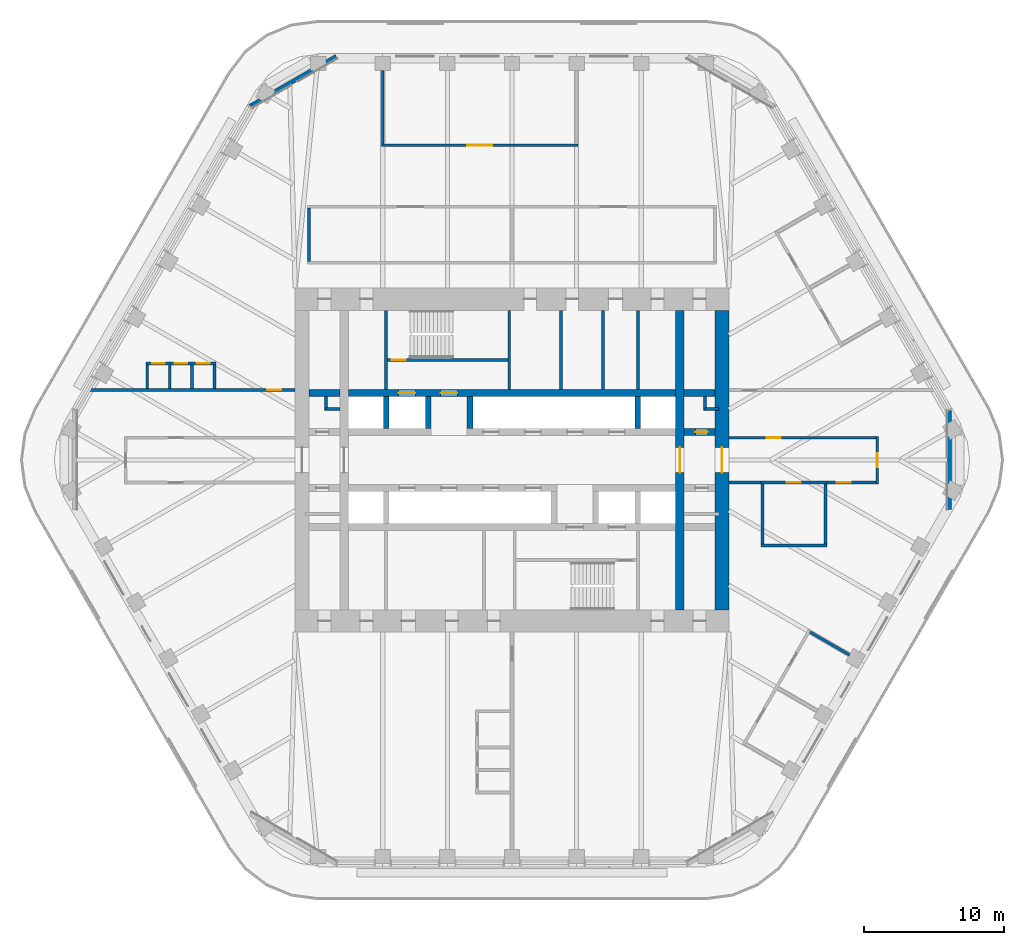
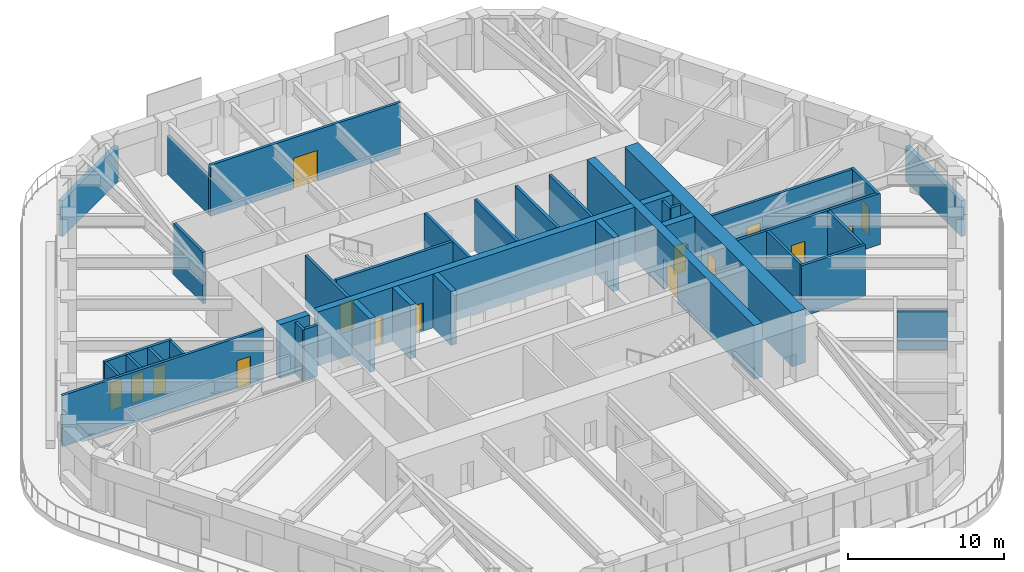
# One storey, part 16 of 20: 40 walls, 15 doors, 15 openings.
"""IFC4 building model written with IfcOpenShell, lengths in metres."""

from ifc_helpers import new_model, si_unit, direction, frame, frame_2d, origin, place, context, subcontext, project, spatial, rectangle, extrude, material, layer, layer_set, type_object, element, fill, save


model = new_model("IFC4")

# Units and contexts
model_context = context("Model", 3, precision=1e-05, world=origin(), true_north=direction((0.0, 1.0)))
body_context = subcontext(model_context, "Body", "Model", "MODEL_VIEW")
ifc_project = project(units=[si_unit("LENGTHUNIT", "METRE"), si_unit("AREAUNIT", "SQUARE_METRE"), si_unit("VOLUMEUNIT", "CUBIC_METRE"), si_unit("PLANEANGLEUNIT", "RADIAN"), si_unit("MASSUNIT", "GRAM", prefix="KILO")], contexts=[model_context])

# Site, building, storey
site_placement = place(None, origin())
site = spatial("IfcSite", under=ifc_project, at=site_placement, CompositionType="ELEMENT")
building_placement = place(site_placement, origin())
building = spatial("IfcBuilding", under=site, at=building_placement, Name="Tarfa Lantern Tower", CompositionType="ELEMENT")
storey_placement = place(building_placement, frame((0.0, 0.0, 278.5)))
storey = spatial("IfcBuildingStorey", under=building, at=storey_placement, Name="L63", CompositionType="ELEMENT", Elevation=278.5)

# Walls
ifc_material_1 = material(Name="Limestone cladding on blockwork", Category="masonry")
ifc_layer_1 = layer(ifc_material_1, 0.300048828125)
ifc_layer_set_1 = layer_set([ifc_layer_1], Name="EW1 STONE-CLAD WALL 300")
wall_type_1 = type_object("IfcWallType", Name="EW1 STONE-CLAD WALL 300", PredefinedType="SOLIDWALL", material=ifc_layer_set_1)
wall_1_placement = place(storey_placement, frame((-12.556396484375, 28.85009765625, 0.0), z_axis=(0.0, 0.0, 1.0), x_axis=(-0.866010973379, -0.500024993363, 0.0)))
element("IfcWall", 1, at=wall_1_placement, inside=storey, type_object=wall_type_1, Name="Garden wall N-NW", PredefinedType="SOLIDWALL", context=body_context, shape_type="SweptSolid", body=[
    extrude(rectangle(XDim=7.101806640625, YDim=0.300048828125, at=frame_2d((3.55078125, 0.0))), origin(), (0.0, 0.0, 1.0), 2.800048828125),
])
wall_2_placement = place(storey_placement, frame((31.262939453125, -3.55078125, 0.0), z_axis=(0.0, 0.0, 1.0), x_axis=(0.0, 1.0, 0.0)))
element("IfcWall", 2, at=wall_2_placement, inside=storey, type_object=wall_type_1, Name="Garden wall SE-NE", PredefinedType="SOLIDWALL", context=body_context, shape_type="SweptSolid", body=[
    extrude(rectangle(XDim=7.1015625, YDim=0.300048828125, at=frame_2d((3.55078125, 0.0))), origin(), (0.0, 0.0, 1.0), 2.800048828125),
])
ifc_material_2 = material(Name="Concrete blockwork", Category="masonry")
ifc_layer_2 = layer(ifc_material_2, 0.199951171875)
ifc_layer_set_2 = layer_set([ifc_layer_2], Name="IW1 BLOCKWORK PARTITION 200 EI 120")
wall_type_2 = type_object("IfcWallType", Name="IW1 BLOCKWORK PARTITION 200 EI 120", PredefinedType="PARTITIONING", material=ifc_layer_set_2)
for number, where, z_axis, x_axis, name in (
    (3, (-9.0, 5.050048828125, 0.0), (0.0, 0.0, 1.0), (0.0, 1.0, 0.0), "Core partition"),
    (4, (9.0, 5.050048828125, 0.0), (0.0, 0.0, 1.0), (0.0, 1.0, 0.0), "Core partition"),
    (5, (3.5, 5.050048828125, 0.0), (0.0, 0.0, 1.0), (0.0, 1.0, 0.0), "Core partition"),
    (6, (6.5, 5.050048828125, 0.0), (0.0, 0.0, 1.0), (0.0, 1.0, 0.0), "Core partition"),
):
    element("IfcWall", number, at=place(storey_placement, frame(where, z_axis=z_axis, x_axis=x_axis)), inside=storey, type_object=wall_type_2, Name=name, PredefinedType="PARTITIONING", context=body_context, shape_type="SweptSolid", body=[
        extrude(rectangle(XDim=5.64990234375, YDim=0.199951171875, at=frame_2d((2.824951171875, 0.0))), origin(), (0.0, 0.0, 1.0), 4.0),
    ])
for number, where, z_axis, x_axis, name in (
    (7, (-13.300048828125, 3.64990234375, 0.0), (0.0, 0.0, 1.0), (1.0, 0.0, 0.0), "Core partition"),
    (8, (-13.300048828125, 3.550048828125, 0.0), (0.0, 0.0, 1.0), (0.0, 1.0, 0.0), "Core partition"),
    (9, (13.800048828125, 3.64990234375, 0.0), (0.0, 0.0, 1.0), (1.0, 0.0, 0.0), "Core partition"),
    (10, (13.800048828125, 3.550048828125, 0.0), (0.0, 0.0, 1.0), (0.0, 1.0, 0.0), "Core partition"),
):
    element("IfcWall", number, at=place(storey_placement, frame(where, z_axis=z_axis, x_axis=x_axis)), inside=storey, type_object=wall_type_2, Name=name, PredefinedType="PARTITIONING", context=body_context, shape_type="SweptSolid", body=[
        extrude(rectangle(XDim=1.0, YDim=0.199951171875, at=frame_2d((0.5, 0.0))), origin(), (0.0, 0.0, 1.0), 4.0),
    ])
ifc_material_3 = material(Name="Gypsum board on steel studs", Category="steel")
ifc_layer_3 = layer(ifc_material_3, 0.2099609375)
ifc_layer_set_3 = layer_set([ifc_layer_3], Name="IW2 ACOUSTIC PARTITION 200")
wall_type_3 = type_object("IfcWallType", Name="IW2 ACOUSTIC PARTITION 200", PredefinedType="PARTITIONING", material=ifc_layer_set_3)
wall_3_placement = place(storey_placement, frame((-14.5, 14.199951171875, 0.0), z_axis=(0.0, 0.0, 1.0), x_axis=(0.0, 1.0, 0.0)))
element("IfcWall", 11, at=wall_3_placement, inside=storey, type_object=wall_type_3, Name="Partition", PredefinedType="PARTITIONING", context=body_context, shape_type="SweptSolid", body=[
    extrude(rectangle(XDim=3.800048828125, YDim=0.199951171875, at=frame_2d((1.89990234375, 0.0))), origin(), (0.0, 0.0, 1.0), 4.0),
])

# Wall, opening, door
wall_4_placement = place(storey_placement, frame((4.71875, 22.5, 0.0), z_axis=(0.0, 0.0, 1.0), x_axis=(-1.0, 0.0, 0.0)))
wall_4 = element("IfcWall", 12, at=wall_4_placement, inside=storey, type_object=wall_type_3, Name="Partition", PredefinedType="PARTITIONING", context=body_context, shape_type="SweptSolid", body=[
    extrude(rectangle(XDim=14.056396484375, YDim=0.199951171875, at=frame_2d((7.0283203125, 0.0))), origin(), (0.0, 0.0, 1.0), 4.0),
])
opening_1_placement = place(wall_4_placement, frame((6.128173828125, 0.0, 0.0)))
opening_1 = element("IfcOpeningElement", 13, at=opening_1_placement, cuts=wall_4, Name="Opening D28", PredefinedType="OPENING", context=body_context, shape_type="SweptSolid", body=[
    extrude(rectangle(XDim=1.800048828125, YDim=2.39990234375, at=frame_2d((0.89990234375, 1.199951171875))), frame((0.0, 0.10986328125, 0.0), z_axis=(0.0, -1.0, 0.0), x_axis=(1.0, 0.0, 0.0)), (0.0, 0.0, 1.0), 0.219970703125),
])
ifc_material_4 = material(Name="Timber door", Category="wood")
door_type_1 = type_object("IfcDoorType", Name="DR2 ROOM DOOR 1800x2400", OperationType="DOUBLE_DOOR_SINGLE_SWING", PredefinedType="DOOR", material=ifc_material_4)
door_1_placement = place(opening_1_placement, frame((1.800048828125, 0.0, 0.0), z_axis=(0.0, 0.0, 1.0), x_axis=(-1.0, 0.0, 0.0)))
door_1 = element("IfcDoor", 14, at=door_1_placement, inside=storey, type_object=door_type_1, Name="Presentation room door", OperationType="DOUBLE_DOOR_SINGLE_SWING", OverallHeight=2.39990234375, OverallWidth=1.800048828125, PredefinedType="DOOR", context=body_context, shape_type="SweptSolid", body=[
    extrude(rectangle(XDim=1.800048828125, YDim=2.39990234375, at=frame_2d((0.89990234375, 1.199951171875))), frame((0.0, 0.02490234375, 0.0), z_axis=(0.0, -1.0, 0.0), x_axis=(1.0, 0.0, 0.0)), (0.0, 0.0, 1.0), 0.050048828125),
])
fill(opening_1, door_1)

# Walls
wall_5_placement = place(storey_placement, frame((-9.237548828125, 22.60009765625, 0.0), z_axis=(0.0, 0.0, 1.0), x_axis=(0.0, 1.0, 0.0)))
element("IfcWall", 15, at=wall_5_placement, inside=storey, type_object=wall_type_3, Name="Partition", PredefinedType="PARTITIONING", context=body_context, shape_type="SweptSolid", body=[
    extrude(rectangle(XDim=5.25, YDim=0.199951171875, at=frame_2d((2.625, 0.0))), origin(), (0.0, 0.0, 1.0), 2.991943359375),
])
wall_6_placement = place(storey_placement, frame((21.30419921875, -12.300048828125, 0.0), z_axis=(0.0, 0.0, 1.0), x_axis=(0.866034226713, -0.499984717929, 0.0)))
element("IfcWall", 16, at=wall_6_placement, inside=storey, type_object=wall_type_3, Name="Partition", PredefinedType="PARTITIONING", context=body_context, shape_type="SweptSolid", body=[
    extrude(rectangle(XDim=3.25, YDim=0.199951171875, at=frame_2d((1.625, 0.0))), origin(), (0.0, 0.0, 1.0), 3.08154296875),
])

# Wall, opening, door
wall_7_placement = place(storey_placement, frame((17.800048828125, -1.60009765625, 0.0), z_axis=(0.0, 0.0, 1.0), x_axis=(1.0, 0.0, 0.0)))
wall_7 = element("IfcWall", 17, at=wall_7_placement, inside=storey, type_object=wall_type_3, Name="Partition", PredefinedType="PARTITIONING", context=body_context, shape_type="SweptSolid", body=[
    extrude(rectangle(XDim=4.699951171875, YDim=0.199951171875, at=frame_2d((2.35009765625, 0.0))), origin(), (0.0, 0.0, 1.0), 4.0),
])
opening_2_placement = place(wall_7_placement, frame((1.85009765625, 0.0, 0.0)))
opening_2 = element("IfcOpeningElement", 18, at=opening_2_placement, cuts=wall_7, Name="Opening D27", PredefinedType="OPENING", context=body_context, shape_type="SweptSolid", body=[
    extrude(rectangle(XDim=1.0, YDim=2.199951171875, at=frame_2d((0.5, 1.10009765625))), frame((0.0, 0.10986328125, 0.0), z_axis=(0.0, -1.0, 0.0), x_axis=(1.0, 0.0, 0.0)), (0.0, 0.0, 1.0), 0.219970703125),
])
door_type_2 = type_object("IfcDoorType", Name="DR1 ROOM DOOR 1000x2200", OperationType="SINGLE_SWING_LEFT", PredefinedType="DOOR", material=ifc_material_4)
door_2_placement = place(opening_2_placement, frame((1.0, 0.0, 0.0), z_axis=(0.0, 0.0, 1.0), x_axis=(-1.0, 0.0, 0.0)))
door_2 = element("IfcDoor", 19, at=door_2_placement, inside=storey, type_object=door_type_2, Name="Pantry door", OperationType="SINGLE_SWING_RIGHT", OverallHeight=2.199951171875, OverallWidth=1.0, PredefinedType="DOOR", context=body_context, shape_type="SweptSolid", body=[
    extrude(rectangle(XDim=1.0, YDim=2.199951171875, at=frame_2d((0.5, 1.10009765625))), frame((0.0, 0.02490234375, 0.0), z_axis=(0.0, -1.0, 0.0), x_axis=(1.0, 0.0, 0.0)), (0.0, 0.0, 1.0), 0.050048828125),
])
fill(opening_2, door_2)

# Walls
wall_8_placement = place(storey_placement, frame((17.800048828125, -6.10009765625, 0.0), z_axis=(0.0, 0.0, 1.0), x_axis=(1.0, 0.0, 0.0)))
element("IfcWall", 20, at=wall_8_placement, inside=storey, type_object=wall_type_3, Name="Partition", PredefinedType="PARTITIONING", context=body_context, shape_type="SweptSolid", body=[
    extrude(rectangle(XDim=4.699951171875, YDim=0.199951171875, at=frame_2d((2.35009765625, 0.0))), origin(), (0.0, 0.0, 1.0), 4.0),
])
for number, where, z_axis, x_axis, name in (
    (21, (17.89990234375, -1.699951171875, 0.0), (0.0, 0.0, 1.0), (0.0, -1.0, 0.0), "Partition"),
    (22, (22.39990234375, -1.699951171875, 0.0), (0.0, 0.0, 1.0), (0.0, -1.0, 0.0), "Partition"),
):
    element("IfcWall", number, at=place(storey_placement, frame(where, z_axis=z_axis, x_axis=x_axis)), inside=storey, type_object=wall_type_3, Name=name, PredefinedType="PARTITIONING", context=body_context, shape_type="SweptSolid", body=[
        extrude(rectangle(XDim=4.300048828125, YDim=0.199951171875, at=frame_2d((2.14990234375, 0.0))), origin(), (0.0, 0.0, 1.0), 4.0),
    ])

# Wall, opening, door
wall_9_placement = place(storey_placement, frame((15.5, 1.60009765625, 0.0), z_axis=(0.0, 0.0, 1.0), x_axis=(1.0, 0.0, 0.0)))
wall_9 = element("IfcWall", 23, at=wall_9_placement, inside=storey, type_object=wall_type_3, Name="Partition", PredefinedType="PARTITIONING", context=body_context, shape_type="SweptSolid", body=[
    extrude(rectangle(XDim=10.699951171875, YDim=0.199951171875, at=frame_2d((5.35009765625, 0.0))), origin(), (0.0, 0.0, 1.0), 4.0),
])
opening_3_placement = place(wall_9_placement, frame((2.7099609375, 0.0, 0.0)))
opening_3 = element("IfcOpeningElement", 24, at=opening_3_placement, cuts=wall_9, Name="Opening D42", PredefinedType="OPENING", context=body_context, shape_type="SweptSolid", body=[
    extrude(rectangle(XDim=1.0, YDim=2.199951171875, at=frame_2d((0.5, 1.10009765625))), frame((0.0, 0.10986328125, 0.0), z_axis=(0.0, -1.0, 0.0), x_axis=(1.0, 0.0, 0.0)), (0.0, 0.0, 1.0), 0.219970703125),
])
door_3_placement = place(opening_3_placement, origin())
door_3 = element("IfcDoor", 25, at=door_3_placement, inside=storey, type_object=door_type_2, Name="Corridor door", OperationType="SINGLE_SWING_RIGHT", OverallHeight=2.199951171875, OverallWidth=1.0, PredefinedType="DOOR", context=body_context, shape_type="SweptSolid", body=[
    extrude(rectangle(XDim=1.0, YDim=2.199951171875, at=frame_2d((0.5, 1.10009765625))), frame((0.0, 0.02490234375, 0.0), z_axis=(0.0, -1.0, 0.0), x_axis=(1.0, 0.0, 0.0)), (0.0, 0.0, 1.0), 0.050048828125),
])
fill(opening_3, door_3)

# Wall
wall_10_placement = place(storey_placement, frame((15.5, -1.60009765625, 0.0), z_axis=(0.0, 0.0, 1.0), x_axis=(1.0, 0.0, 0.0)))
element("IfcWall", 26, at=wall_10_placement, inside=storey, type_object=wall_type_3, Name="Partition", PredefinedType="PARTITIONING", context=body_context, shape_type="SweptSolid", body=[
    extrude(rectangle(XDim=2.300048828125, YDim=0.199951171875, at=frame_2d((1.14990234375, 0.0))), origin(), (0.0, 0.0, 1.0), 4.0),
])

# Wall, opening, door
wall_11_placement = place(storey_placement, frame((22.5, -1.60009765625, 0.0), z_axis=(0.0, 0.0, 1.0), x_axis=(1.0, 0.0, 0.0)))
wall_11 = element("IfcWall", 27, at=wall_11_placement, inside=storey, type_object=wall_type_3, Name="Partition", PredefinedType="PARTITIONING", context=body_context, shape_type="SweptSolid", body=[
    extrude(rectangle(XDim=3.699951171875, YDim=0.199951171875, at=frame_2d((1.85009765625, 0.0))), origin(), (0.0, 0.0, 1.0), 4.0),
])
opening_4_placement = place(wall_11_placement, frame((0.699951171875, 0.0, 0.0)))
opening_4 = element("IfcOpeningElement", 28, at=opening_4_placement, cuts=wall_11, Name="Opening D43", PredefinedType="OPENING", context=body_context, shape_type="SweptSolid", body=[
    extrude(rectangle(XDim=1.0, YDim=2.199951171875, at=frame_2d((0.5, 1.10009765625))), frame((0.0, 0.10986328125, 0.0), z_axis=(0.0, -1.0, 0.0), x_axis=(1.0, 0.0, 0.0)), (0.0, 0.0, 1.0), 0.219970703125),
])
door_4_placement = place(opening_4_placement, frame((1.0, 0.0, 0.0), z_axis=(0.0, 0.0, 1.0), x_axis=(-1.0, 0.0, 0.0)))
door_4 = element("IfcDoor", 29, at=door_4_placement, inside=storey, type_object=door_type_2, Name="Corridor door", OperationType="SINGLE_SWING_LEFT", OverallHeight=2.199951171875, OverallWidth=1.0, PredefinedType="DOOR", context=body_context, shape_type="SweptSolid", body=[
    extrude(rectangle(XDim=1.0, YDim=2.199951171875, at=frame_2d((0.5, 1.10009765625))), frame((0.0, 0.02490234375, 0.0), z_axis=(0.0, -1.0, 0.0), x_axis=(1.0, 0.0, 0.0)), (0.0, 0.0, 1.0), 0.050048828125),
])
fill(opening_4, door_4)

wall_12_placement = place(storey_placement, frame((26.10009765625, -1.699951171875, 0.0), z_axis=(0.0, 0.0, 1.0), x_axis=(0.0, 1.0, 0.0)))
wall_12 = element("IfcWall", 30, at=wall_12_placement, inside=storey, type_object=wall_type_3, Name="Partition", PredefinedType="PARTITIONING", context=body_context, shape_type="SweptSolid", body=[
    extrude(rectangle(XDim=3.39990234375, YDim=0.199951171875, at=frame_2d((1.699951171875, 0.0))), origin(), (0.0, 0.0, 1.0), 4.0),
])
opening_5_placement = place(wall_12_placement, frame((1.199951171875, 0.0, 0.0)))
opening_5 = element("IfcOpeningElement", 31, at=opening_5_placement, cuts=wall_12, Name="Opening D41", PredefinedType="OPENING", context=body_context, shape_type="SweptSolid", body=[
    extrude(rectangle(XDim=1.0, YDim=2.199951171875, at=frame_2d((0.5, 1.10009765625))), frame((0.0, 0.10986328125, 0.0), z_axis=(0.0, -1.0, 0.0), x_axis=(1.0, 0.0, 0.0)), (0.0, 0.0, 1.0), 0.219970703125),
])
door_5_placement = place(opening_5_placement, frame((1.0, 0.0, 0.0), z_axis=(0.0, 0.0, 1.0), x_axis=(-1.0, 0.0, 0.0)))
door_5 = element("IfcDoor", 32, at=door_5_placement, inside=storey, type_object=door_type_2, Name="Corridor door", OperationType="SINGLE_SWING_LEFT", OverallHeight=2.199951171875, OverallWidth=1.0, PredefinedType="DOOR", context=body_context, shape_type="SweptSolid", body=[
    extrude(rectangle(XDim=1.0, YDim=2.199951171875, at=frame_2d((0.5, 1.10009765625))), frame((0.0, 0.02490234375, 0.0), z_axis=(0.0, -1.0, 0.0), x_axis=(1.0, 0.0, 0.0)), (0.0, 0.0, 1.0), 0.050048828125),
])
fill(opening_5, door_5)

wall_13_placement = place(storey_placement, frame((-15.5, 5.0, 0.0), z_axis=(0.0, 0.0, 1.0), x_axis=(-1.0, 0.0, 0.0)))
wall_13 = element("IfcWall", 33, at=wall_13_placement, inside=storey, type_object=wall_type_3, Name="Partition", PredefinedType="PARTITIONING", context=body_context, shape_type="SweptSolid", body=[
    extrude(rectangle(XDim=14.845458984375, YDim=0.199951171875, at=frame_2d((7.4228515625, 0.0))), origin(), (0.0, 0.0, 1.0), 4.0),
])
opening_6_placement = place(wall_13_placement, frame((0.984619140625, 0.0, 0.0)))
opening_6 = element("IfcOpeningElement", 34, at=opening_6_placement, cuts=wall_13, Name="Opening D49", PredefinedType="OPENING", context=body_context, shape_type="SweptSolid", body=[
    extrude(rectangle(XDim=1.0, YDim=2.199951171875, at=frame_2d((0.5, 1.10009765625))), frame((0.0, 0.10986328125, 0.0), z_axis=(0.0, -1.0, 0.0), x_axis=(1.0, 0.0, 0.0)), (0.0, 0.0, 1.0), 0.219970703125),
])
door_6_placement = place(opening_6_placement, origin())
door_6 = element("IfcDoor", 35, at=door_6_placement, inside=storey, type_object=door_type_2, Name="Zone door", OperationType="SINGLE_SWING_RIGHT", OverallHeight=2.199951171875, OverallWidth=1.0, PredefinedType="DOOR", context=body_context, shape_type="SweptSolid", body=[
    extrude(rectangle(XDim=1.0, YDim=2.199951171875, at=frame_2d((0.5, 1.10009765625))), frame((0.0, 0.02490234375, 0.0), z_axis=(0.0, -1.0, 0.0), x_axis=(1.0, 0.0, 0.0)), (0.0, 0.0, 1.0), 0.050048828125),
])
fill(opening_6, door_6)

# Wall, openings, doors
wall_14_placement = place(storey_placement, frame((-21.1650390625, 6.89990234375, 0.0), z_axis=(0.0, 0.0, 1.0), x_axis=(-1.0, 0.0, 0.0)))
wall_14 = element("IfcWall", 36, at=wall_14_placement, inside=storey, type_object=wall_type_3, Name="Partition", PredefinedType="PARTITIONING", context=body_context, shape_type="SweptSolid", body=[
    extrude(rectangle(XDim=5.0, YDim=0.199951171875, at=frame_2d((2.5, 0.0))), origin(), (0.0, 0.0, 1.0), 4.0),
])
opening_7_placement = place(wall_14_placement, frame((0.449951171875, 0.0, 0.0)))
opening_7 = element("IfcOpeningElement", 37, at=opening_7_placement, cuts=wall_14, Name="Opening D38", PredefinedType="OPENING", context=body_context, shape_type="SweptSolid", body=[
    extrude(rectangle(XDim=0.89990234375, YDim=2.199951171875, at=frame_2d((0.449951171875, 1.10009765625))), frame((0.0, 0.10986328125, 0.0), z_axis=(0.0, -1.0, 0.0), x_axis=(1.0, 0.0, 0.0)), (0.0, 0.0, 1.0), 0.219970703125),
])
opening_8_placement = place(wall_14_placement, frame((2.050048828125, 0.0, 0.0)))
opening_8 = element("IfcOpeningElement", 38, at=opening_8_placement, cuts=wall_14, Name="Opening D39", PredefinedType="OPENING", context=body_context, shape_type="SweptSolid", body=[
    extrude(rectangle(XDim=0.89990234375, YDim=2.199951171875, at=frame_2d((0.449951171875, 1.10009765625))), frame((0.0, 0.10986328125, 0.0), z_axis=(0.0, -1.0, 0.0), x_axis=(1.0, 0.0, 0.0)), (0.0, 0.0, 1.0), 0.219970703125),
])
opening_9_placement = place(wall_14_placement, frame((3.64990234375, 0.0, 0.0)))
opening_9 = element("IfcOpeningElement", 39, at=opening_9_placement, cuts=wall_14, Name="Opening D40", PredefinedType="OPENING", context=body_context, shape_type="SweptSolid", body=[
    extrude(rectangle(XDim=0.89990234375, YDim=2.199951171875, at=frame_2d((0.449951171875, 1.10009765625))), frame((0.0, 0.10986328125, 0.0), z_axis=(0.0, -1.0, 0.0), x_axis=(1.0, 0.0, 0.0)), (0.0, 0.0, 1.0), 0.219970703125),
])
door_type_3 = type_object("IfcDoorType", Name="DR3 ROOM DOOR 900x2200", OperationType="SINGLE_SWING_LEFT", PredefinedType="DOOR", material=ifc_material_4)
door_7_placement = place(opening_7_placement, origin())
door_7 = element("IfcDoor", 40, at=door_7_placement, inside=storey, type_object=door_type_3, Name="Phone booth door", OperationType="SINGLE_SWING_RIGHT", OverallHeight=2.199951171875, OverallWidth=0.89990234375, PredefinedType="DOOR", context=body_context, shape_type="SweptSolid", body=[
    extrude(rectangle(XDim=0.89990234375, YDim=2.199951171875, at=frame_2d((0.449951171875, 1.10009765625))), frame((0.0, 0.02490234375, 0.0), z_axis=(0.0, -1.0, 0.0), x_axis=(1.0, 0.0, 0.0)), (0.0, 0.0, 1.0), 0.050048828125),
])
fill(opening_7, door_7)
door_8_placement = place(opening_8_placement, origin())
door_8 = element("IfcDoor", 41, at=door_8_placement, inside=storey, type_object=door_type_3, Name="Phone booth door", OperationType="SINGLE_SWING_RIGHT", OverallHeight=2.199951171875, OverallWidth=0.89990234375, PredefinedType="DOOR", context=body_context, shape_type="SweptSolid", body=[
    extrude(rectangle(XDim=0.89990234375, YDim=2.199951171875, at=frame_2d((0.449951171875, 1.10009765625))), frame((0.0, 0.02490234375, 0.0), z_axis=(0.0, -1.0, 0.0), x_axis=(1.0, 0.0, 0.0)), (0.0, 0.0, 1.0), 0.050048828125),
])
fill(opening_8, door_8)
door_9_placement = place(opening_9_placement, origin())
door_9 = element("IfcDoor", 42, at=door_9_placement, inside=storey, type_object=door_type_3, Name="Phone booth door", OperationType="SINGLE_SWING_LEFT", OverallHeight=2.199951171875, OverallWidth=0.89990234375, PredefinedType="DOOR", context=body_context, shape_type="SweptSolid", body=[
    extrude(rectangle(XDim=0.89990234375, YDim=2.199951171875, at=frame_2d((0.449951171875, 1.10009765625))), frame((0.0, 0.02490234375, 0.0), z_axis=(0.0, -1.0, 0.0), x_axis=(1.0, 0.0, 0.0)), (0.0, 0.0, 1.0), 0.050048828125),
])
fill(opening_9, door_9)

# Walls
for number, where, z_axis, x_axis, name in (
    (43, (-21.264892578125, 5.10009765625, 0.0), (0.0, 0.0, 1.0), (0.0, 1.0, 0.0), "Partition"),
    (44, (-22.864990234375, 5.10009765625, 0.0), (0.0, 0.0, 1.0), (0.0, 1.0, 0.0), "Partition"),
    (45, (-24.465087890625, 5.10009765625, 0.0), (0.0, 0.0, 1.0), (0.0, 1.0, 0.0), "Partition"),
    (46, (-26.06494140625, 5.10009765625, 0.0), (0.0, 0.0, 1.0), (0.0, 1.0, 0.0), "Partition"),
):
    element("IfcWall", number, at=place(storey_placement, frame(where, z_axis=z_axis, x_axis=x_axis)), inside=storey, type_object=wall_type_3, Name=name, PredefinedType="PARTITIONING", context=body_context, shape_type="SweptSolid", body=[
        extrude(rectangle(XDim=1.699951171875, YDim=0.199951171875, at=frame_2d((0.85009765625, 0.0))), origin(), (0.0, 0.0, 1.0), 4.0),
    ])
ifc_material_5 = material(Name="Concrete C80/95", Category="concrete")
ifc_layer_4 = layer(ifc_material_5, 0.199951171875)
ifc_layer_set_4 = layer_set([ifc_layer_4], Name="SW12 CORE WALL 200")
wall_type_4 = type_object("IfcWallType", Name="SW12 CORE WALL 200", PredefinedType="SHEAR", material=ifc_layer_set_4)
wall_15_placement = place(storey_placement, frame((-0.199951171875, 5.050048828125, 0.0), z_axis=(0.0, 0.0, 1.0), x_axis=(0.0, 1.0, 0.0)))
element("IfcWall", 47, at=wall_15_placement, inside=storey, type_object=wall_type_4, Name="Core wall stair shaft N", PredefinedType="SHEAR", context=body_context, shape_type="SweptSolid", body=[
    extrude(rectangle(XDim=5.64990234375, YDim=0.199951171875, at=frame_2d((2.824951171875, 0.0))), origin(), (0.0, 0.0, 1.0), 4.199951171875),
])

# Wall, opening, door
wall_16_placement = place(storey_placement, frame((-8.89990234375, 7.14990234375, 0.0), z_axis=(0.0, 0.0, 1.0), x_axis=(1.0, 0.0, 0.0)))
wall_16 = element("IfcWall", 48, at=wall_16_placement, inside=storey, type_object=wall_type_4, Name="Core wall stair partition N", PredefinedType="SHEAR", context=body_context, shape_type="SweptSolid", body=[
    extrude(rectangle(XDim=8.599853515625, YDim=0.199951171875, at=frame_2d((4.2998046875, 0.0))), origin(), (0.0, 0.0, 1.0), 4.199951171875),
])
opening_10_placement = place(wall_16_placement, frame((0.300048828125, 0.0, 0.0)))
opening_10 = element("IfcOpeningElement", 49, at=opening_10_placement, cuts=wall_16, Name="Opening D23", PredefinedType="OPENING", context=body_context, shape_type="SweptSolid", body=[
    extrude(rectangle(XDim=1.0, YDim=2.199951171875, at=frame_2d((0.5, 1.10009765625))), frame((0.0, 0.10986328125, 0.0), z_axis=(0.0, -1.0, 0.0), x_axis=(1.0, 0.0, 0.0)), (0.0, 0.0, 1.0), 0.219970703125),
])
ifc_material_6 = material(Name="Steel fire door", Category="steel")
door_type_4 = type_object("IfcDoorType", Name="DF2 STAIR DOOR 1000x2200", OperationType="SINGLE_SWING_LEFT", PredefinedType="DOOR", material=ifc_material_6)
door_10_placement = place(opening_10_placement, origin())
door_10 = element("IfcDoor", 50, at=door_10_placement, inside=storey, type_object=door_type_4, Name="Stair door", OperationType="SINGLE_SWING_RIGHT", OverallHeight=2.199951171875, OverallWidth=1.0, PredefinedType="DOOR", context=body_context, shape_type="SweptSolid", body=[
    extrude(rectangle(XDim=1.0, YDim=2.199951171875, at=frame_2d((0.5, 1.10009765625))), frame((0.0, 0.02490234375, 0.0), z_axis=(0.0, -1.0, 0.0), x_axis=(1.0, 0.0, 0.0)), (0.0, 0.0, 1.0), 0.050048828125),
])
fill(opening_10, door_10)

ifc_layer_5 = layer(ifc_material_5, 1.0)
ifc_layer_set_5 = layer_set([ifc_layer_5], Name="SW2 CORE WALL 1000")
wall_type_5 = type_object("IfcWallType", Name="SW2 CORE WALL 1000", PredefinedType="SHEAR", material=ifc_layer_set_5)
wall_17_placement = place(storey_placement, frame((15.0, -10.699951171875, 0.0), z_axis=(0.0, 0.0, 1.0), x_axis=(0.0, 1.0, 0.0)))
wall_17 = element("IfcWall", 51, at=wall_17_placement, inside=storey, type_object=wall_type_5, Name="Core wall E", PredefinedType="SHEAR", context=body_context, shape_type="SweptSolid", body=[
    extrude(rectangle(XDim=21.39990234375, YDim=1.0, at=frame_2d((10.699951171875, 0.0))), origin(), (0.0, 0.0, 1.0), 4.199951171875),
])
opening_11_placement = place(wall_17_placement, frame((9.800048828125, 0.0, 0.0)))
opening_11 = element("IfcOpeningElement", 52, at=opening_11_placement, cuts=wall_17, Name="Opening D11", PredefinedType="OPENING", context=body_context, shape_type="SweptSolid", body=[
    extrude(rectangle(XDim=1.800048828125, YDim=2.39990234375, at=frame_2d((0.89990234375, 1.199951171875))), frame((0.0, 0.510009765625, 0.0), z_axis=(0.0, -1.0, 0.0), x_axis=(1.0, 0.0, 0.0)), (0.0, 0.0, 1.0), 1.02001953125),
])
door_type_5 = type_object("IfcDoorType", Name="DL1 LOBBY DOOR 1800x2400", OperationType="DOUBLE_DOOR_SINGLE_SWING", PredefinedType="DOOR", material=ifc_material_6)
door_11_placement = place(opening_11_placement, frame((1.800048828125, 0.0, 0.0), z_axis=(0.0, 0.0, 1.0), x_axis=(-1.0, 0.0, 0.0)))
door_11 = element("IfcDoor", 53, at=door_11_placement, inside=storey, type_object=door_type_5, Name="Lift lobby door", OperationType="DOUBLE_DOOR_SINGLE_SWING", OverallHeight=2.39990234375, OverallWidth=1.800048828125, PredefinedType="DOOR", context=body_context, shape_type="SweptSolid", body=[
    extrude(rectangle(XDim=1.800048828125, YDim=2.39990234375, at=frame_2d((0.89990234375, 1.199951171875))), frame((0.0, 0.02490234375, 0.0), z_axis=(0.0, -1.0, 0.0), x_axis=(1.0, 0.0, 0.0)), (0.0, 0.0, 1.0), 0.050048828125),
])
fill(opening_11, door_11)

ifc_layer_6 = layer(ifc_material_5, 0.5)
ifc_layer_set_6 = layer_set([ifc_layer_6], Name="SW5 CORE WALL 500")
wall_type_6 = type_object("IfcWallType", Name="SW5 CORE WALL 500", PredefinedType="SHEAR", material=ifc_layer_set_6)
wall_18_placement = place(storey_placement, frame((12.300048828125, 2.0, 0.0), z_axis=(0.0, 0.0, 1.0), x_axis=(1.0, 0.0, 0.0)))
wall_18 = element("IfcWall", 54, at=wall_18_placement, inside=storey, type_object=wall_type_6, Name="Core wall lobby east N", PredefinedType="SHEAR", context=body_context, shape_type="SweptSolid", body=[
    extrude(rectangle(XDim=2.199951171875, YDim=0.5, at=frame_2d((1.10009765625, 0.0))), origin(), (0.0, 0.0, 1.0), 4.199951171875),
])
opening_12_placement = place(wall_18_placement, frame((0.800048828125, 0.0, 0.0)))
opening_12 = element("IfcOpeningElement", 55, at=opening_12_placement, cuts=wall_18, Name="Opening D13", PredefinedType="OPENING", context=body_context, shape_type="SweptSolid", body=[
    extrude(rectangle(XDim=0.89990234375, YDim=2.199951171875, at=frame_2d((0.449951171875, 1.10009765625))), frame((0.0, 0.260009765625, 0.0), z_axis=(0.0, -1.0, 0.0), x_axis=(1.0, 0.0, 0.0)), (0.0, 0.0, 1.0), 0.52001953125),
])
door_type_6 = type_object("IfcDoorType", Name="DF6 SERVICE ROOM DOOR 900x2200", OperationType="SINGLE_SWING_LEFT", PredefinedType="DOOR", material=ifc_material_6)
door_12_placement = place(opening_12_placement, origin())
door_12 = element("IfcDoor", 56, at=door_12_placement, inside=storey, type_object=door_type_6, Name="Service room door", OperationType="SINGLE_SWING_LEFT", OverallHeight=2.199951171875, OverallWidth=0.89990234375, PredefinedType="DOOR", context=body_context, shape_type="SweptSolid", body=[
    extrude(rectangle(XDim=0.89990234375, YDim=2.199951171875, at=frame_2d((0.449951171875, 1.10009765625))), frame((0.0, 0.02490234375, 0.0), z_axis=(0.0, -1.0, 0.0), x_axis=(1.0, 0.0, 0.0)), (0.0, 0.0, 1.0), 0.050048828125),
])
fill(opening_12, door_12)

# Wall
wall_19_placement = place(storey_placement, frame((-14.5, 4.800048828125, 0.0), z_axis=(0.0, 0.0, 1.0), x_axis=(1.0, 0.0, 0.0)))
element("IfcWall", 57, at=wall_19_placement, inside=storey, type_object=wall_type_6, Name="Core wall rear N", PredefinedType="SHEAR", context=body_context, shape_type="SweptSolid", body=[
    extrude(rectangle(XDim=2.199951171875, YDim=0.5, at=frame_2d((1.10009765625, 0.0))), origin(), (0.0, 0.0, 1.0), 4.199951171875),
])

# Wall, openings, doors
wall_20_placement = place(storey_placement, frame((-11.699951171875, 4.800048828125, 0.0), z_axis=(0.0, 0.0, 1.0), x_axis=(1.0, 0.0, 0.0)))
wall_20 = element("IfcWall", 58, at=wall_20_placement, inside=storey, type_object=wall_type_6, Name="Core wall rear N", PredefinedType="SHEAR", context=body_context, shape_type="SweptSolid", body=[
    extrude(rectangle(XDim=23.39990234375, YDim=0.5, at=frame_2d((11.699951171875, 0.0))), origin(), (0.0, 0.0, 1.0), 4.199951171875),
])
opening_13_placement = place(wall_20_placement, frame((6.60009765625, 0.0, 0.0)))
opening_13 = element("IfcOpeningElement", 59, at=opening_13_placement, cuts=wall_20, Name="Opening D09", PredefinedType="OPENING", context=body_context, shape_type="SweptSolid", body=[
    extrude(rectangle(XDim=1.199951171875, YDim=2.199951171875, at=frame_2d((0.60009765625, 1.10009765625))), frame((0.0, 0.260009765625, 0.0), z_axis=(0.0, -1.0, 0.0), x_axis=(1.0, 0.0, 0.0)), (0.0, 0.0, 1.0), 0.52001953125),
])
opening_14_placement = place(wall_20_placement, frame((3.60009765625, 0.0, 0.0)))
opening_14 = element("IfcOpeningElement", 60, at=opening_14_placement, cuts=wall_20, Name="Opening LD01", PredefinedType="OPENING", context=body_context, shape_type="SweptSolid", body=[
    extrude(rectangle(XDim=1.199951171875, YDim=2.199951171875, at=frame_2d((0.60009765625, 1.10009765625))), frame((0.0, 0.260009765625, 0.0), z_axis=(0.0, -1.0, 0.0), x_axis=(1.0, 0.0, 0.0)), (0.0, 0.0, 1.0), 0.52001953125),
])
door_type_7 = type_object("IfcDoorType", Name="DF1 FIREFIGHTING LOBBY DOOR 1200x2200", OperationType="SINGLE_SWING_LEFT", PredefinedType="DOOR", material=ifc_material_6)
door_13_placement = place(opening_13_placement, origin())
door_13 = element("IfcDoor", 61, at=door_13_placement, inside=storey, type_object=door_type_7, Name="Firefighting lobby door", OperationType="SINGLE_SWING_LEFT", OverallHeight=2.199951171875, OverallWidth=1.199951171875, PredefinedType="DOOR", context=body_context, shape_type="SweptSolid", body=[
    extrude(rectangle(XDim=1.199951171875, YDim=2.199951171875, at=frame_2d((0.60009765625, 1.10009765625))), frame((0.0, 0.02490234375, 0.0), z_axis=(0.0, -1.0, 0.0), x_axis=(1.0, 0.0, 0.0)), (0.0, 0.0, 1.0), 0.050048828125),
])
fill(opening_13, door_13)
ifc_material_7 = material(Name="Stainless steel lift door", Category="steel")
door_type_8 = type_object("IfcDoorType", Name="LD1 LIFT LANDING DOOR 1200x2200", OperationType="SLIDING_TO_LEFT", PredefinedType="DOOR", material=ifc_material_7)
door_14_placement = place(opening_14_placement, origin())
door_14 = element("IfcDoor", 62, at=door_14_placement, inside=storey, type_object=door_type_8, Name="Landing door FL1", OperationType="SLIDING_TO_LEFT", OverallHeight=2.199951171875, OverallWidth=1.199951171875, PredefinedType="DOOR", context=body_context, shape_type="SweptSolid", body=[
    extrude(rectangle(XDim=1.199951171875, YDim=2.199951171875, at=frame_2d((0.60009765625, 1.10009765625))), frame((0.0, 0.02490234375, 0.0), z_axis=(0.0, -1.0, 0.0), x_axis=(1.0, 0.0, 0.0)), (0.0, 0.0, 1.0), 0.050048828125),
])
fill(opening_14, door_14)

# Walls
wall_21_placement = place(storey_placement, frame((12.300048828125, 4.800048828125, 0.0), z_axis=(0.0, 0.0, 1.0), x_axis=(1.0, 0.0, 0.0)))
element("IfcWall", 63, at=wall_21_placement, inside=storey, type_object=wall_type_6, Name="Core wall rear N", PredefinedType="SHEAR", context=body_context, shape_type="SweptSolid", body=[
    extrude(rectangle(XDim=2.199951171875, YDim=0.5, at=frame_2d((1.10009765625, 0.0))), origin(), (0.0, 0.0, 1.0), 4.199951171875),
])
ifc_layer_7 = layer(ifc_material_5, 0.39990234375)
ifc_layer_set_7 = layer_set([ifc_layer_7], Name="SW6 CORE WALL 400")
wall_type_7 = type_object("IfcWallType", Name="SW6 CORE WALL 400", PredefinedType="SHEAR", material=ifc_layer_set_7)
for number, where, z_axis, x_axis, name in (
    (64, (-9.0, 2.25, 0.0), (0.0, 0.0, 1.0), (0.0, 1.0, 0.0), "Core wall divider N"),
    (65, (-6.0, 2.25, 0.0), (0.0, 0.0, 1.0), (0.0, 1.0, 0.0), "Core wall divider N"),
    (66, (-3.0, 2.25, 0.0), (0.0, 0.0, 1.0), (0.0, 1.0, 0.0), "Core wall divider N"),
    (67, (9.0, 2.25, 0.0), (0.0, 0.0, 1.0), (0.0, 1.0, 0.0), "Core wall divider N"),
):
    element("IfcWall", number, at=place(storey_placement, frame(where, z_axis=z_axis, x_axis=x_axis)), inside=storey, type_object=wall_type_7, Name=name, PredefinedType="SHEAR", context=body_context, shape_type="SweptSolid", body=[
        extrude(rectangle(XDim=2.300048828125, YDim=0.39990234375, at=frame_2d((1.14990234375, 0.0))), origin(), (0.0, 0.0, 1.0), 4.199951171875),
    ])

# Wall, opening, door
ifc_layer_8 = layer(ifc_material_5, 0.60009765625)
ifc_layer_set_8 = layer_set([ifc_layer_8], Name="SW9 CORE WALL 600")
wall_type_8 = type_object("IfcWallType", Name="SW9 CORE WALL 600", PredefinedType="SHEAR", material=ifc_layer_set_8)
wall_22_placement = place(storey_placement, frame((12.0, -10.699951171875, 0.0), z_axis=(0.0, 0.0, 1.0), x_axis=(0.0, 1.0, 0.0)))
wall_22 = element("IfcWall", 68, at=wall_22_placement, inside=storey, type_object=wall_type_8, Name="Core wall cross 12 m east", PredefinedType="SHEAR", context=body_context, shape_type="SweptSolid", body=[
    extrude(rectangle(XDim=21.39990234375, YDim=0.60009765625, at=frame_2d((10.699951171875, 0.0))), origin(), (0.0, 0.0, 1.0), 4.199951171875),
])
opening_15_placement = place(wall_22_placement, frame((9.800048828125, 0.0, 0.0)))
opening_15 = element("IfcOpeningElement", 69, at=opening_15_placement, cuts=wall_22, Name="Opening D25", PredefinedType="OPENING", context=body_context, shape_type="SweptSolid", body=[
    extrude(rectangle(XDim=1.800048828125, YDim=2.39990234375, at=frame_2d((0.89990234375, 1.199951171875))), frame((0.0, 0.31005859375, 0.0), z_axis=(0.0, -1.0, 0.0), x_axis=(1.0, 0.0, 0.0)), (0.0, 0.0, 1.0), 0.6201171875),
])
door_15_placement = place(opening_15_placement, origin())
door_15 = element("IfcDoor", 70, at=door_15_placement, inside=storey, type_object=door_type_5, Name="Lift lobby door", OperationType="DOUBLE_DOOR_SINGLE_SWING", OverallHeight=2.39990234375, OverallWidth=1.800048828125, PredefinedType="DOOR", context=body_context, shape_type="SweptSolid", body=[
    extrude(rectangle(XDim=1.800048828125, YDim=2.39990234375, at=frame_2d((0.89990234375, 1.199951171875))), frame((0.0, 0.02490234375, 0.0), z_axis=(0.0, -1.0, 0.0), x_axis=(1.0, 0.0, 0.0)), (0.0, 0.0, 1.0), 0.050048828125),
])
fill(opening_15, door_15)

save(model, "model.ifc")
